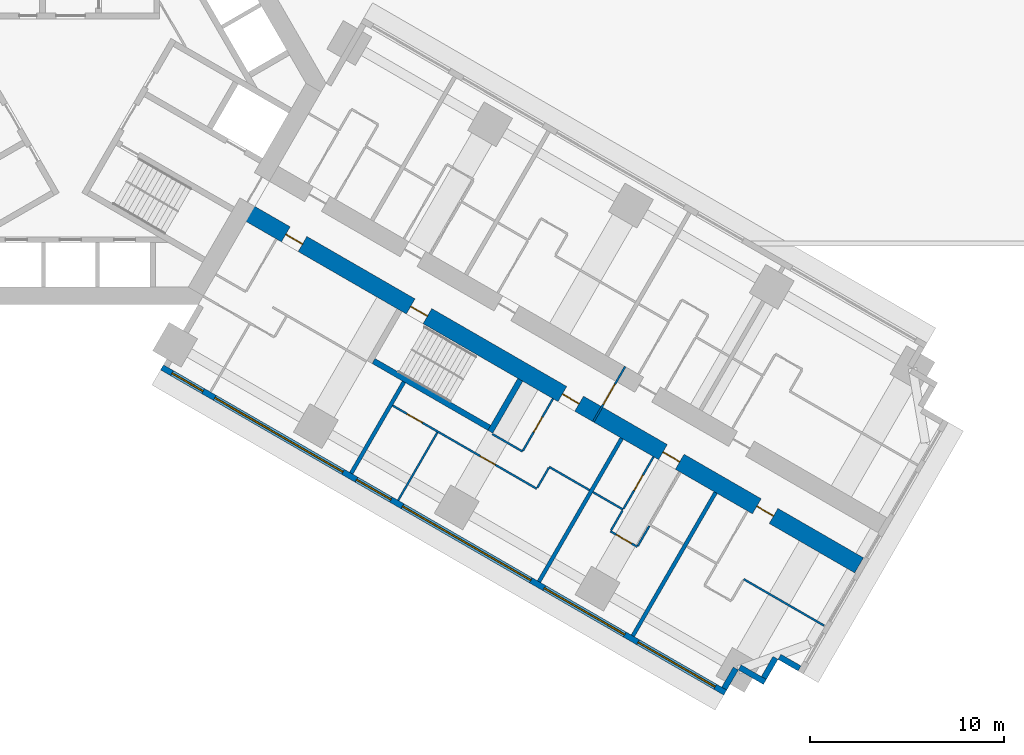
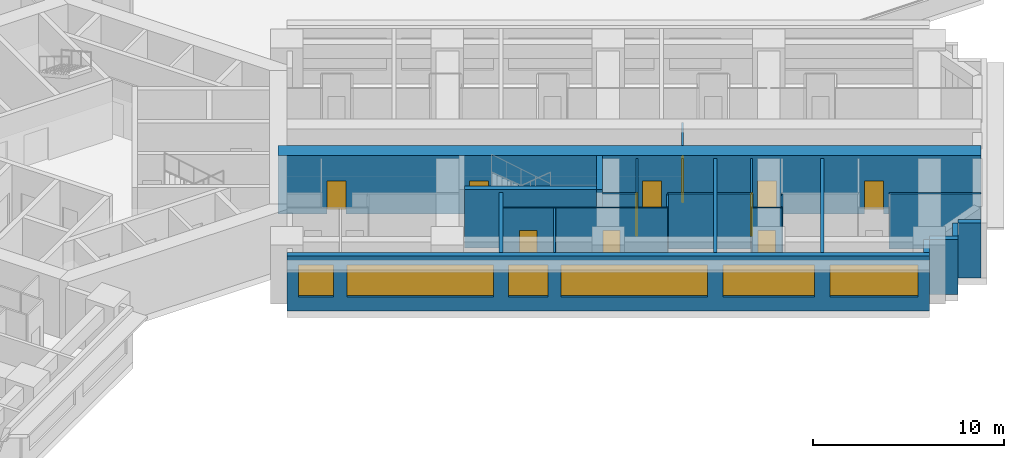
# One storey, part 11 of 18: 24 walls, 11 doors, 6 windows, 17 openings.
"""IFC4 building model written with IfcOpenShell, lengths in metres."""

from ifc_helpers import new_model, si_unit, direction, frame, frame_2d, origin, place, context, subcontext, project, spatial, rectangle, extrude, material, layer, layer_set, type_object, element, fill, save


model = new_model("IFC4")

# Units and contexts
model_context = context("Model", 3, precision=1e-05, world=origin(), true_north=direction((0.0, 1.0)))
body_context = subcontext(model_context, "Body", "Model", "MODEL_VIEW")
ifc_project = project(units=[si_unit("LENGTHUNIT", "METRE"), si_unit("AREAUNIT", "SQUARE_METRE"), si_unit("VOLUMEUNIT", "CUBIC_METRE"), si_unit("PLANEANGLEUNIT", "RADIAN"), si_unit("MASSUNIT", "GRAM", prefix="KILO")], contexts=[model_context])

# Site, building, storey
site_placement = place(None, origin())
site = spatial("IfcSite", under=ifc_project, at=site_placement, CompositionType="ELEMENT")
building_placement = place(site_placement, origin())
building = spatial("IfcBuilding", under=site, at=building_placement, Name="Impinga Residences", CompositionType="ELEMENT")
storey_placement = place(building_placement, frame((0.0, 0.0, 26.0)))
storey = spatial("IfcBuildingStorey", under=building, at=storey_placement, Name="L05", CompositionType="ELEMENT", Elevation=26.0)

# Wall, openings, doors
ifc_material_1 = material(Name="Concrete C70/85", Category="concrete")
ifc_layer_1 = layer(ifc_material_1, 0.89990234375)
ifc_layer_set_1 = layer_set([ifc_layer_1], Name="Concrete C70/85")
wall_type_1 = type_object("IfcWallType", Name="BW1 corridor buttress wall, L05 to L22 900", PredefinedType="SHEAR", material=ifc_layer_set_1)
wall_1_placement = place(storey_placement, frame((8.910400390625, -6.530029296875, 0.0), z_axis=(0.0, 0.0, 1.0), x_axis=(0.866025284237, -0.500000207062, 0.0)))
wall_1 = element("IfcWall", 1, at=wall_1_placement, inside=storey, type_object=wall_type_1, Name="Corridor wall BW1 ED L05", PredefinedType="SHEAR", context=body_context, shape_type="SweptSolid", body=[
    extrude(rectangle(XDim=36.75, YDim=0.89990234375, at=frame_2d((18.375, 0.0))), origin(), (0.0, 0.0, 1.0), 3.75),
])
opening_1_placement = place(wall_1_placement, frame((10.0, 0.0, 0.0)))
opening_1 = element("IfcOpeningElement", 2, at=opening_1_placement, cuts=wall_1, Name="Opening D5", PredefinedType="OPENING", context=body_context, shape_type="SweptSolid", body=[
    extrude(rectangle(XDim=1.0, YDim=2.10009765625, at=frame_2d((0.5, 1.050048828125))), frame((0.0, 0.4599609375, 0.0), z_axis=(0.0, -1.0, 0.0), x_axis=(1.0, 0.0, 0.0)), (0.0, 0.0, 1.0), 0.919921875),
])
opening_2_placement = place(wall_1_placement, frame((2.550048828125, 0.0, 0.0)))
opening_2 = element("IfcOpeningElement", 3, at=opening_2_placement, cuts=wall_1, Name="Opening D1", PredefinedType="OPENING", context=body_context, shape_type="SweptSolid", body=[
    extrude(rectangle(XDim=1.0, YDim=2.10009765625, at=frame_2d((0.5, 1.050048828125))), frame((0.0, 0.4599609375, 0.0), z_axis=(0.0, -1.0, 0.0), x_axis=(1.0, 0.0, 0.0)), (0.0, 0.0, 1.0), 0.919921875),
])
opening_3_placement = place(wall_1_placement, frame((19.050048828125, 0.0, 0.0)))
opening_3 = element("IfcOpeningElement", 4, at=opening_3_placement, cuts=wall_1, Name="Opening D1", PredefinedType="OPENING", context=body_context, shape_type="SweptSolid", body=[
    extrude(rectangle(XDim=1.0, YDim=2.10009765625, at=frame_2d((0.5, 1.050048828125))), frame((0.0, 0.4599609375, 0.0), z_axis=(0.0, -1.0, 0.0), x_axis=(1.0, 0.0, 0.0)), (0.0, 0.0, 1.0), 0.919921875),
])
opening_4_placement = place(wall_1_placement, frame((25.050048828125, 0.0, 0.0)))
opening_4 = element("IfcOpeningElement", 5, at=opening_4_placement, cuts=wall_1, Name="Opening D1", PredefinedType="OPENING", context=body_context, shape_type="SweptSolid", body=[
    extrude(rectangle(XDim=1.0, YDim=2.10009765625, at=frame_2d((0.5, 1.050048828125))), frame((0.0, 0.4599609375, 0.0), z_axis=(0.0, -1.0, 0.0), x_axis=(1.0, 0.0, 0.0)), (0.0, 0.0, 1.0), 0.919921875),
])
opening_5_placement = place(wall_1_placement, frame((30.64990234375, 0.0, 0.0)))
opening_5 = element("IfcOpeningElement", 6, at=opening_5_placement, cuts=wall_1, Name="Opening D1", PredefinedType="OPENING", context=body_context, shape_type="SweptSolid", body=[
    extrude(rectangle(XDim=1.0, YDim=2.10009765625, at=frame_2d((0.5, 1.050048828125))), frame((0.0, 0.4599609375, 0.0), z_axis=(0.0, -1.0, 0.0), x_axis=(1.0, 0.0, 0.0)), (0.0, 0.0, 1.0), 0.919921875),
])
ifc_material_2 = material(Name="Timber door set", Category="wood")
door_type_1 = type_object("IfcDoorType", Name="D1 apartment entrance door 1000x2100", OperationType="SINGLE_SWING_LEFT", PredefinedType="DOOR", material=ifc_material_2)
door_1_placement = place(opening_2_placement, origin())
door_1 = element("IfcDoor", 7, at=door_1_placement, inside=storey, type_object=door_type_1, Name="Apartment L05-EF1 entrance", OperationType="SINGLE_SWING_LEFT", OverallHeight=2.10009765625, OverallWidth=1.0, PredefinedType="DOOR", context=body_context, shape_type="SweptSolid", body=[
    extrude(rectangle(XDim=1.0, YDim=2.10009765625, at=frame_2d((0.5, 1.050048828125))), frame((0.0, 0.02490234375, 0.0), z_axis=(0.0, -1.0, 0.0), x_axis=(1.0, 0.0, 0.0)), (0.0, 0.0, 1.0), 0.050048828125),
])
fill(opening_2, door_1)
door_2_placement = place(opening_3_placement, origin())
door_2 = element("IfcDoor", 8, at=door_2_placement, inside=storey, type_object=door_type_1, Name="Apartment L05-EF2 entrance", OperationType="SINGLE_SWING_RIGHT", OverallHeight=2.10009765625, OverallWidth=1.0, PredefinedType="DOOR", context=body_context, shape_type="SweptSolid", body=[
    extrude(rectangle(XDim=1.0, YDim=2.10009765625, at=frame_2d((0.5, 1.050048828125))), frame((0.0, 0.02490234375, 0.0), z_axis=(0.0, -1.0, 0.0), x_axis=(1.0, 0.0, 0.0)), (0.0, 0.0, 1.0), 0.050048828125),
])
fill(opening_3, door_2)
door_3_placement = place(opening_4_placement, origin())
door_3 = element("IfcDoor", 9, at=door_3_placement, inside=storey, type_object=door_type_1, Name="Apartment L05-EF3 entrance", OperationType="SINGLE_SWING_RIGHT", OverallHeight=2.10009765625, OverallWidth=1.0, PredefinedType="DOOR", context=body_context, shape_type="SweptSolid", body=[
    extrude(rectangle(XDim=1.0, YDim=2.10009765625, at=frame_2d((0.5, 1.050048828125))), frame((0.0, 0.02490234375, 0.0), z_axis=(0.0, -1.0, 0.0), x_axis=(1.0, 0.0, 0.0)), (0.0, 0.0, 1.0), 0.050048828125),
])
fill(opening_4, door_3)
door_4_placement = place(opening_5_placement, origin())
door_4 = element("IfcDoor", 10, at=door_4_placement, inside=storey, type_object=door_type_1, Name="Apartment L05-EF4 entrance", OperationType="SINGLE_SWING_RIGHT", OverallHeight=2.10009765625, OverallWidth=1.0, PredefinedType="DOOR", context=body_context, shape_type="SweptSolid", body=[
    extrude(rectangle(XDim=1.0, YDim=2.10009765625, at=frame_2d((0.5, 1.050048828125))), frame((0.0, 0.02490234375, 0.0), z_axis=(0.0, -1.0, 0.0), x_axis=(1.0, 0.0, 0.0)), (0.0, 0.0, 1.0), 0.050048828125),
])
fill(opening_5, door_4)
door_type_2 = type_object("IfcDoorType", Name="D5 stair door 1000x2100", OperationType="SINGLE_SWING_LEFT", PredefinedType="DOOR", material=ifc_material_2)
door_5_placement = place(opening_1_placement, origin())
door_5 = element("IfcDoor", 11, at=door_5_placement, inside=storey, type_object=door_type_2, Name="Wing stair door E", OperationType="SINGLE_SWING_LEFT", OverallHeight=2.10009765625, OverallWidth=1.0, PredefinedType="DOOR", context=body_context, shape_type="SweptSolid", body=[
    extrude(rectangle(XDim=1.0, YDim=2.10009765625, at=frame_2d((0.5, 1.050048828125))), frame((0.0, 0.02490234375, 0.0), z_axis=(0.0, -1.0, 0.0), x_axis=(1.0, 0.0, 0.0)), (0.0, 0.0, 1.0), 0.050048828125),
])
fill(opening_1, door_5)

# Wall, opening, door
ifc_material_3 = material(Name="Concrete blockwork", Category="masonry")
ifc_layer_2 = layer(ifc_material_3, 0.10009765625)
ifc_layer_set_2 = layer_set([ifc_layer_2], Name="CP1 core room partition, blockwork 100")
wall_type_2 = type_object("IfcWallType", Name="CP1 core room partition, blockwork 100", PredefinedType="PARTITIONING", material=ifc_layer_set_2)
wall_2_placement = place(storey_placement, frame((28.652099609375, -14.636962890625, 0.0), z_axis=(0.0, 0.0, 1.0), x_axis=(-0.499974350878, -0.866040211805, 0.0)))
wall_2 = element("IfcWall", 12, at=wall_2_placement, inside=storey, type_object=wall_type_2, Name="Core room partition, blockwork L05:E:SCR", PredefinedType="PARTITIONING", context=body_context, shape_type="SweptSolid", body=[
    extrude(rectangle(XDim=3.300048828125, YDim=0.10009765625, at=frame_2d((1.64990234375, 0.0))), origin(), (0.0, 0.0, 1.0), 3.530029296875),
])
opening_6_placement = place(wall_2_placement, frame((1.050048828125, 0.0, 0.0)))
opening_6 = element("IfcOpeningElement", 13, at=opening_6_placement, cuts=wall_2, Name="Opening D3", PredefinedType="OPENING", context=body_context, shape_type="SweptSolid", body=[
    extrude(rectangle(XDim=1.199951171875, YDim=2.10009765625, at=frame_2d((0.60009765625, 1.050048828125))), frame((0.0, 0.06005859375, 0.0), z_axis=(0.0, -1.0, 0.0), x_axis=(1.0, 0.0, 0.0)), (0.0, 0.0, 1.0), 0.1201171875),
])
door_type_3 = type_object("IfcDoorType", Name="D3 room door, leaf and a half 1200x2100", OperationType="DOUBLE_SWING_LEFT", PredefinedType="DOOR", material=ifc_material_2)
door_6_placement = place(opening_6_placement, origin())
door_6 = element("IfcDoor", 14, at=door_6_placement, inside=storey, type_object=door_type_3, Name="Corridor smoke door E", OperationType="DOUBLE_SWING_LEFT", OverallHeight=2.10009765625, OverallWidth=1.199951171875, PredefinedType="DOOR", context=body_context, shape_type="SweptSolid", body=[
    extrude(rectangle(XDim=1.199951171875, YDim=2.10009765625, at=frame_2d((0.60009765625, 1.050048828125))), frame((0.0, 0.02490234375, 0.0), z_axis=(0.0, -1.0, 0.0), x_axis=(1.0, 0.0, 0.0)), (0.0, 0.0, 1.0), 0.050048828125),
])
fill(opening_6, door_6)

# Walls
ifc_material_4 = material(Name="Terracotta rainscreen on blockwork", Category="masonry")
ifc_layer_3 = layer(ifc_material_4, 0.300048828125)
ifc_layer_set_3 = layer_set([ifc_layer_3], Name="EW1 external wall, terracotta rainscreen on blockwork 300")
wall_type_3 = type_object("IfcWallType", Name="EW1 external wall, terracotta rainscreen on blockwork 300", PredefinedType="SOLIDWALL", material=ifc_layer_set_3)
wall_3_placement = place(storey_placement, frame((37.66162109375, -30.23095703125, 0.0), z_axis=(0.0, 0.0, 1.0), x_axis=(-0.866059708757, 0.499940577336, 0.0)))
element("IfcWall", 15, at=wall_3_placement, inside=storey, type_object=wall_type_3, Name="External wall EW1 L05", PredefinedType="SOLIDWALL", context=body_context, shape_type="SweptSolid", body=[
    extrude(rectangle(XDim=1.195068359375, YDim=0.300048828125, at=frame_2d((0.59765625, 0.0))), origin(), (0.0, 0.0, 1.0), 3.530029296875),
])
wall_4_placement = place(storey_placement, frame((36.41748046875, -29.68603515625, 0.0), z_axis=(0.0, 0.0, 1.0), x_axis=(-0.499969057507, -0.866043267704, 0.0)))
element("IfcWall", 16, at=wall_4_placement, inside=storey, type_object=wall_type_3, Name="External wall EW1 L05", PredefinedType="SOLIDWALL", context=body_context, shape_type="SweptSolid", body=[
    extrude(rectangle(XDim=1.19970703125, YDim=0.300048828125, at=frame_2d((0.599853515625, 0.0))), origin(), (0.0, 0.0, 1.0), 3.530029296875),
])
wall_5_placement = place(storey_placement, frame((35.87255859375, -30.93017578125, 0.0), z_axis=(0.0, 0.0, 1.0), x_axis=(-0.866031096941, 0.499990139034, 0.0)))
element("IfcWall", 17, at=wall_5_placement, inside=storey, type_object=wall_type_3, Name="External wall EW1 L05", PredefinedType="SOLIDWALL", context=body_context, shape_type="SweptSolid", body=[
    extrude(rectangle(XDim=1.5, YDim=0.300048828125, at=frame_2d((0.75, 0.0))), origin(), (0.0, 0.0, 1.0), 3.530029296875),
])
wall_6_placement = place(storey_placement, frame((34.365966796875, -30.2392578125, 0.0), z_axis=(0.0, 0.0, 1.0), x_axis=(-0.499940577336, -0.866059708757, 0.0)))
element("IfcWall", 18, at=wall_6_placement, inside=storey, type_object=wall_type_3, Name="External wall EW1 L05", PredefinedType="SOLIDWALL", context=body_context, shape_type="SweptSolid", body=[
    extrude(rectangle(XDim=1.195068359375, YDim=0.300048828125, at=frame_2d((0.59765625, 0.0))), origin(), (0.0, 0.0, 1.0), 3.530029296875),
])

# Wall, openings, windows
wall_7_placement = place(storey_placement, frame((33.823486328125, -31.479248046875, 0.0), z_axis=(0.0, 0.0, 1.0), x_axis=(-0.866024291668, 0.500001926238, 0.0)))
wall_7 = element("IfcWall", 19, at=wall_7_placement, inside=storey, type_object=wall_type_3, Name="External wall EW1 L05", PredefinedType="SOLIDWALL", context=body_context, shape_type="SweptSolid", body=[
    extrude(rectangle(XDim=33.599853515625, YDim=0.300048828125, at=frame_2d((16.7998046875, 0.0))), origin(), (0.0, 0.0, 1.0), 3.530029296875),
])
opening_7_placement = place(wall_7_placement, frame((0.60009765625, 0.0, 0.89990234375)))
opening_7 = element("IfcOpeningElement", 20, at=opening_7_placement, cuts=wall_7, Name="Opening W3", PredefinedType="OPENING", context=body_context, shape_type="SweptSolid", body=[
    extrude(rectangle(XDim=4.60009765625, YDim=2.050048828125, at=frame_2d((2.300048828125, 1.02490234375))), frame((0.0, 0.159912109375, 0.0), z_axis=(0.0, -1.0, 0.0), x_axis=(1.0, 0.0, 0.0)), (0.0, 0.0, 1.0), 0.320068359375),
])
opening_8_placement = place(wall_7_placement, frame((6.0, 0.0, 0.89990234375)))
opening_8 = element("IfcOpeningElement", 21, at=opening_8_placement, cuts=wall_7, Name="Opening W8", PredefinedType="OPENING", context=body_context, shape_type="SweptSolid", body=[
    extrude(rectangle(XDim=4.800048828125, YDim=2.050048828125, at=frame_2d((2.39990234375, 1.02490234375))), frame((0.0, 0.159912109375, 0.0), z_axis=(0.0, -1.0, 0.0), x_axis=(1.0, 0.0, 0.0)), (0.0, 0.0, 1.0), 0.320068359375),
])
opening_9_placement = place(wall_7_placement, frame((11.60009765625, 0.0, 0.89990234375)))
opening_9 = element("IfcOpeningElement", 22, at=opening_9_placement, cuts=wall_7, Name="Opening W13", PredefinedType="OPENING", context=body_context, shape_type="SweptSolid", body=[
    extrude(rectangle(XDim=7.64990234375, YDim=2.050048828125, at=frame_2d((3.824951171875, 1.02490234375))), frame((0.0, 0.159912109375, 0.0), z_axis=(0.0, -1.0, 0.0), x_axis=(1.0, 0.0, 0.0)), (0.0, 0.0, 1.0), 0.320068359375),
])
opening_10_placement = place(wall_7_placement, frame((19.949951171875, 0.0, 0.89990234375)))
opening_10 = element("IfcOpeningElement", 23, at=opening_10_placement, cuts=wall_7, Name="Opening W14", PredefinedType="OPENING", context=body_context, shape_type="SweptSolid", body=[
    extrude(rectangle(XDim=2.050048828125, YDim=2.050048828125, at=frame_2d((1.02490234375, 1.02490234375))), frame((0.0, 0.159912109375, 0.0), z_axis=(0.0, -1.0, 0.0), x_axis=(1.0, 0.0, 0.0)), (0.0, 0.0, 1.0), 0.320068359375),
])
opening_11_placement = place(wall_7_placement, frame((22.800048828125, 0.0, 0.89990234375)))
opening_11 = element("IfcOpeningElement", 24, at=opening_11_placement, cuts=wall_7, Name="Opening W13", PredefinedType="OPENING", context=body_context, shape_type="SweptSolid", body=[
    extrude(rectangle(XDim=7.64990234375, YDim=2.050048828125, at=frame_2d((3.824951171875, 1.02490234375))), frame((0.0, 0.159912109375, 0.0), z_axis=(0.0, -1.0, 0.0), x_axis=(1.0, 0.0, 0.0)), (0.0, 0.0, 1.0), 0.320068359375),
])
opening_12_placement = place(wall_7_placement, frame((31.14990234375, 0.0, 0.89990234375)))
opening_12 = element("IfcOpeningElement", 25, at=opening_12_placement, cuts=wall_7, Name="Opening W15", PredefinedType="OPENING", context=body_context, shape_type="SweptSolid", body=[
    extrude(rectangle(XDim=1.85009765625, YDim=2.050048828125, at=frame_2d((0.925048828125, 1.02490234375))), frame((0.0, 0.159912109375, 0.0), z_axis=(0.0, -1.0, 0.0), x_axis=(1.0, 0.0, 0.0)), (0.0, 0.0, 1.0), 0.320068359375),
])
ifc_material_5 = material(Name="Aluminium window, clear double glazing", Category="aluminium")
window_type_1 = type_object("IfcWindowType", Name="W13 ribbon window 7650x2050", PartitioningType="SINGLE_PANEL", PredefinedType="WINDOW", material=ifc_material_5)
window_1_placement = place(opening_9_placement, origin())
window_1 = element("IfcWindow", 26, at=window_1_placement, inside=storey, type_object=window_type_1, Name="Window L05", OverallHeight=2.050048828125, OverallWidth=7.64990234375, PartitioningType="SINGLE_PANEL", PredefinedType="WINDOW", context=body_context, shape_type="SweptSolid", body=[
    extrude(rectangle(XDim=7.64990234375, YDim=2.050048828125, at=frame_2d((3.824951171875, 1.02490234375))), frame((0.0, 0.030029296875, 0.0), z_axis=(0.0, -1.0, 0.0), x_axis=(1.0, 0.0, 0.0)), (0.0, 0.0, 1.0), 0.06005859375),
])
fill(opening_9, window_1)
window_2_placement = place(opening_11_placement, origin())
window_2 = element("IfcWindow", 27, at=window_2_placement, inside=storey, type_object=window_type_1, Name="Window L05", OverallHeight=2.050048828125, OverallWidth=7.64990234375, PartitioningType="SINGLE_PANEL", PredefinedType="WINDOW", context=body_context, shape_type="SweptSolid", body=[
    extrude(rectangle(XDim=7.64990234375, YDim=2.050048828125, at=frame_2d((3.824951171875, 1.02490234375))), frame((0.0, 0.030029296875, 0.0), z_axis=(0.0, -1.0, 0.0), x_axis=(1.0, 0.0, 0.0)), (0.0, 0.0, 1.0), 0.06005859375),
])
fill(opening_11, window_2)
window_type_2 = type_object("IfcWindowType", Name="W14 ribbon window 2050x2050", PartitioningType="SINGLE_PANEL", PredefinedType="WINDOW", material=ifc_material_5)
window_3_placement = place(opening_10_placement, origin())
window_3 = element("IfcWindow", 28, at=window_3_placement, inside=storey, type_object=window_type_2, Name="Window L05", OverallHeight=2.050048828125, OverallWidth=2.050048828125, PartitioningType="SINGLE_PANEL", PredefinedType="WINDOW", context=body_context, shape_type="SweptSolid", body=[
    extrude(rectangle(XDim=2.050048828125, YDim=2.050048828125, at=frame_2d((1.02490234375, 1.02490234375))), frame((0.0, 0.030029296875, 0.0), z_axis=(0.0, -1.0, 0.0), x_axis=(1.0, 0.0, 0.0)), (0.0, 0.0, 1.0), 0.06005859375),
])
fill(opening_10, window_3)
window_type_3 = type_object("IfcWindowType", Name="W15 ribbon window 1850x2050", PartitioningType="SINGLE_PANEL", PredefinedType="WINDOW", material=ifc_material_5)
window_4_placement = place(opening_12_placement, origin())
window_4 = element("IfcWindow", 29, at=window_4_placement, inside=storey, type_object=window_type_3, Name="Window L05", OverallHeight=2.050048828125, OverallWidth=1.85009765625, PartitioningType="SINGLE_PANEL", PredefinedType="WINDOW", context=body_context, shape_type="SweptSolid", body=[
    extrude(rectangle(XDim=1.85009765625, YDim=2.050048828125, at=frame_2d((0.925048828125, 1.02490234375))), frame((0.0, 0.030029296875, 0.0), z_axis=(0.0, -1.0, 0.0), x_axis=(1.0, 0.0, 0.0)), (0.0, 0.0, 1.0), 0.06005859375),
])
fill(opening_12, window_4)
window_type_4 = type_object("IfcWindowType", Name="W3 ribbon window 4600x2050", PartitioningType="SINGLE_PANEL", PredefinedType="WINDOW", material=ifc_material_5)
window_5_placement = place(opening_7_placement, origin())
window_5 = element("IfcWindow", 30, at=window_5_placement, inside=storey, type_object=window_type_4, Name="Window L05", OverallHeight=2.050048828125, OverallWidth=4.60009765625, PartitioningType="SINGLE_PANEL", PredefinedType="WINDOW", context=body_context, shape_type="SweptSolid", body=[
    extrude(rectangle(XDim=4.60009765625, YDim=2.050048828125, at=frame_2d((2.300048828125, 1.02490234375))), frame((0.0, 0.030029296875, 0.0), z_axis=(0.0, -1.0, 0.0), x_axis=(1.0, 0.0, 0.0)), (0.0, 0.0, 1.0), 0.06005859375),
])
fill(opening_7, window_5)
window_type_5 = type_object("IfcWindowType", Name="W8 ribbon window 4800x2050", PartitioningType="SINGLE_PANEL", PredefinedType="WINDOW", material=ifc_material_5)
window_6_placement = place(opening_8_placement, origin())
window_6 = element("IfcWindow", 31, at=window_6_placement, inside=storey, type_object=window_type_5, Name="Window L05", OverallHeight=2.050048828125, OverallWidth=4.800048828125, PartitioningType="SINGLE_PANEL", PredefinedType="WINDOW", context=body_context, shape_type="SweptSolid", body=[
    extrude(rectangle(XDim=4.800048828125, YDim=2.050048828125, at=frame_2d((2.39990234375, 1.02490234375))), frame((0.0, 0.030029296875, 0.0), z_axis=(0.0, -1.0, 0.0), x_axis=(1.0, 0.0, 0.0)), (0.0, 0.0, 1.0), 0.06005859375),
])
fill(opening_8, window_6)

# Walls
ifc_material_6 = material(Name="Gypsum board on steel studs", Category="steel")
ifc_layer_4 = layer(ifc_material_6, 0.10009765625)
ifc_layer_set_4 = layer_set([ifc_layer_4], Name="Gypsum board on steel studs")
wall_type_4 = type_object("IfcWallType", Name="IP1 partition 100", PredefinedType="PARTITIONING", material=ifc_layer_set_4)
wall_8_placement = place(storey_placement, frame((21.789306640625, -18.122802734375, 0.0), z_axis=(0.0, 0.0, 1.0), x_axis=(0.866047807691, -0.499961193289, 0.0)))
element("IfcWall", 32, at=wall_8_placement, inside=storey, type_object=wall_type_4, Name="Partition L05-EF2:DIV0", PredefinedType="PARTITIONING", context=body_context, shape_type="SweptSolid", body=[
    extrude(rectangle(XDim=1.800048828125, YDim=0.10009765625, at=frame_2d((0.89990234375, 0.0))), origin(), (0.0, 0.0, 1.0), 3.530029296875),
])
wall_9_placement = place(storey_placement, frame((24.73388671875, -19.82275390625, 0.0), z_axis=(0.0, 0.0, 1.0), x_axis=(0.866024647952, -0.500001309137, 0.0)))
element("IfcWall", 33, at=wall_9_placement, inside=storey, type_object=wall_type_4, Name="Partition L05-EF2:DIV1", PredefinedType="PARTITIONING", context=body_context, shape_type="SweptSolid", body=[
    extrude(rectangle(XDim=2.39990234375, YDim=0.10009765625, at=frame_2d((1.199951171875, 0.0))), origin(), (0.0, 0.0, 1.0), 3.530029296875),
])

# Wall, openings, doors
wall_10_placement = place(storey_placement, frame((16.635986328125, -16.6484375, 0.0), z_axis=(0.0, 0.0, 1.0), x_axis=(0.866028165386, -0.499995216735, 0.0)))
wall_10 = element("IfcWall", 34, at=wall_10_placement, inside=storey, type_object=wall_type_4, Name="Partition L05-EF2:STRIP", PredefinedType="PARTITIONING", context=body_context, shape_type="SweptSolid", body=[
    extrude(rectangle(XDim=8.60009765625, YDim=0.10009765625, at=frame_2d((4.300048828125, 0.0))), origin(), (0.0, 0.0, 1.0), 3.530029296875),
])
opening_13_placement = place(wall_10_placement, frame((0.875, 0.0, 0.0)))
opening_13 = element("IfcOpeningElement", 35, at=opening_13_placement, cuts=wall_10, Name="Opening D2", PredefinedType="OPENING", context=body_context, shape_type="SweptSolid", body=[
    extrude(rectangle(XDim=0.89990234375, YDim=2.10009765625, at=frame_2d((0.449951171875, 1.050048828125))), frame((0.0, 0.06005859375, 0.0), z_axis=(0.0, -1.0, 0.0), x_axis=(1.0, 0.0, 0.0)), (0.0, 0.0, 1.0), 0.1201171875),
])
opening_14_placement = place(wall_10_placement, frame((5.22509765625, 0.0, 0.0)))
opening_14 = element("IfcOpeningElement", 36, at=opening_14_placement, cuts=wall_10, Name="Opening D2", PredefinedType="OPENING", context=body_context, shape_type="SweptSolid", body=[
    extrude(rectangle(XDim=0.89990234375, YDim=2.10009765625, at=frame_2d((0.449951171875, 1.050048828125))), frame((0.0, 0.06005859375, 0.0), z_axis=(0.0, -1.0, 0.0), x_axis=(1.0, 0.0, 0.0)), (0.0, 0.0, 1.0), 0.1201171875),
])
door_type_4 = type_object("IfcDoorType", Name="D2 internal door 900x2100", OperationType="SINGLE_SWING_LEFT", PredefinedType="DOOR", material=ifc_material_2)
door_7_placement = place(opening_13_placement, origin())
door_7 = element("IfcDoor", 37, at=door_7_placement, inside=storey, type_object=door_type_4, Name="Apartment L05-EF2 room door", OperationType="SINGLE_SWING_LEFT", OverallHeight=2.10009765625, OverallWidth=0.89990234375, PredefinedType="DOOR", context=body_context, shape_type="SweptSolid", body=[
    extrude(rectangle(XDim=0.89990234375, YDim=2.10009765625, at=frame_2d((0.449951171875, 1.050048828125))), frame((0.0, 0.02490234375, 0.0), z_axis=(0.0, -1.0, 0.0), x_axis=(1.0, 0.0, 0.0)), (0.0, 0.0, 1.0), 0.050048828125),
])
fill(opening_13, door_7)
door_8_placement = place(opening_14_placement, origin())
door_8 = element("IfcDoor", 38, at=door_8_placement, inside=storey, type_object=door_type_4, Name="Apartment L05-EF2 room door", OperationType="SINGLE_SWING_RIGHT", OverallHeight=2.10009765625, OverallWidth=0.89990234375, PredefinedType="DOOR", context=body_context, shape_type="SweptSolid", body=[
    extrude(rectangle(XDim=0.89990234375, YDim=2.10009765625, at=frame_2d((0.449951171875, 1.050048828125))), frame((0.0, 0.02490234375, 0.0), z_axis=(0.0, -1.0, 0.0), x_axis=(1.0, 0.0, 0.0)), (0.0, 0.0, 1.0), 0.050048828125),
])
fill(opening_14, door_8)

# Wall
wall_11_placement = place(storey_placement, frame((24.708984375, -19.865966796875, 0.0), z_axis=(0.0, 0.0, 1.0), x_axis=(-0.500033551112, -0.866006032174, 0.0)))
element("IfcWall", 39, at=wall_11_placement, inside=storey, type_object=wall_type_4, Name="Partition L05-EF2:SE1", PredefinedType="PARTITIONING", context=body_context, shape_type="SweptSolid", body=[
    extrude(rectangle(XDim=1.2001953125, YDim=0.10009765625, at=frame_2d((0.60009765625, 0.0))), origin(), (0.0, 0.0, 1.0), 3.530029296875),
])

# Wall, opening, door
wall_12_placement = place(storey_placement, frame((24.92333984375, -16.294677734375, 0.0), z_axis=(0.0, 0.0, 1.0), x_axis=(-0.49999285859, -0.86602952684, 0.0)))
wall_12 = element("IfcWall", 40, at=wall_12_placement, inside=storey, type_object=wall_type_4, Name="Partition L05-EF2:IB1", PredefinedType="PARTITIONING", context=body_context, shape_type="SweptSolid", body=[
    extrude(rectangle(XDim=3.10009765625, YDim=0.10009765625, at=frame_2d((1.550048828125, 0.0))), origin(), (0.0, 0.0, 1.0), 3.530029296875),
])
opening_15_placement = place(wall_12_placement, frame((1.10009765625, 0.0, 0.0)))
opening_15 = element("IfcOpeningElement", 41, at=opening_15_placement, cuts=wall_12, Name="Opening D2", PredefinedType="OPENING", context=body_context, shape_type="SweptSolid", body=[
    extrude(rectangle(XDim=0.89990234375, YDim=2.10009765625, at=frame_2d((0.449951171875, 1.050048828125))), frame((0.0, 0.06005859375, 0.0), z_axis=(0.0, -1.0, 0.0), x_axis=(1.0, 0.0, 0.0)), (0.0, 0.0, 1.0), 0.1201171875),
])
door_9_placement = place(opening_15_placement, origin())
door_9 = element("IfcDoor", 42, at=door_9_placement, inside=storey, type_object=door_type_4, Name="Apartment L05-EF2 bathroom door", OperationType="SINGLE_SWING_LEFT", OverallHeight=2.10009765625, OverallWidth=0.89990234375, PredefinedType="DOOR", context=body_context, shape_type="SweptSolid", body=[
    extrude(rectangle(XDim=0.89990234375, YDim=2.10009765625, at=frame_2d((0.449951171875, 1.050048828125))), frame((0.0, 0.02490234375, 0.0), z_axis=(0.0, -1.0, 0.0), x_axis=(1.0, 0.0, 0.0)), (0.0, 0.0, 1.0), 0.050048828125),
])
fill(opening_15, door_9)

# Walls
wall_13_placement = place(storey_placement, frame((18.949462890625, -18.041748046875, 0.0), z_axis=(0.0, 0.0, 1.0), x_axis=(-0.50000943426, -0.866019956843, 0.0)))
element("IfcWall", 43, at=wall_13_placement, inside=storey, type_object=wall_type_4, Name="Partition L05-EF2:OB1", PredefinedType="PARTITIONING", context=body_context, shape_type="SweptSolid", body=[
    extrude(rectangle(XDim=4.05029296875, YDim=0.10009765625, at=frame_2d((2.025146484375, 0.0))), origin(), (0.0, 0.0, 1.0), 3.530029296875),
])
wall_14_placement = place(storey_placement, frame((26.985595703125, -21.122802734375, 0.0), z_axis=(0.0, 0.0, 1.0), x_axis=(0.866047807691, -0.499961193289, 0.0)))
element("IfcWall", 44, at=wall_14_placement, inside=storey, type_object=wall_type_4, Name="Partition L05-EF3:DIV0", PredefinedType="PARTITIONING", context=body_context, shape_type="SweptSolid", body=[
    extrude(rectangle(XDim=1.800048828125, YDim=0.10009765625, at=frame_2d((0.89990234375, 0.0))), origin(), (0.0, 0.0, 1.0), 3.530029296875),
])

# Wall, opening, door
wall_15_placement = place(storey_placement, frame((27.89453125, -23.1484375, 0.0), z_axis=(0.0, 0.0, 1.0), x_axis=(0.865989903783, -0.500061482766, 0.0)))
wall_15 = element("IfcWall", 45, at=wall_15_placement, inside=storey, type_object=wall_type_4, Name="Partition L05-EF3:STRIP", PredefinedType="PARTITIONING", context=body_context, shape_type="SweptSolid", body=[
    extrude(rectangle(XDim=1.599853515625, YDim=0.10009765625, at=frame_2d((0.7998046875, 0.0))), origin(), (0.0, 0.0, 1.0), 3.530029296875),
])
opening_16_placement = place(wall_15_placement, frame((0.35009765625, 0.0, 0.0)))
opening_16 = element("IfcOpeningElement", 46, at=opening_16_placement, cuts=wall_15, Name="Opening D2", PredefinedType="OPENING", context=body_context, shape_type="SweptSolid", body=[
    extrude(rectangle(XDim=0.89990234375, YDim=2.10009765625, at=frame_2d((0.449951171875, 1.050048828125))), frame((0.0, 0.06005859375, 0.0), z_axis=(0.0, -1.0, 0.0), x_axis=(1.0, 0.0, 0.0)), (0.0, 0.0, 1.0), 0.1201171875),
])
door_10_placement = place(opening_16_placement, origin())
door_10 = element("IfcDoor", 47, at=door_10_placement, inside=storey, type_object=door_type_4, Name="Apartment L05-EF3 room door", OperationType="SINGLE_SWING_LEFT", OverallHeight=2.10009765625, OverallWidth=0.89990234375, PredefinedType="DOOR", context=body_context, shape_type="SweptSolid", body=[
    extrude(rectangle(XDim=0.89990234375, YDim=2.10009765625, at=frame_2d((0.449951171875, 1.050048828125))), frame((0.0, 0.02490234375, 0.0), z_axis=(0.0, -1.0, 0.0), x_axis=(1.0, 0.0, 0.0)), (0.0, 0.0, 1.0), 0.050048828125),
])
fill(opening_16, door_10)

# Walls
wall_16_placement = place(storey_placement, frame((28.51953125, -22.06591796875, 0.0), z_axis=(0.0, 0.0, 1.0), x_axis=(-0.500033551112, -0.866006032174, 0.0)))
element("IfcWall", 48, at=wall_16_placement, inside=storey, type_object=wall_type_4, Name="Partition L05-EF3:SE0", PredefinedType="PARTITIONING", context=body_context, shape_type="SweptSolid", body=[
    extrude(rectangle(XDim=1.2001953125, YDim=0.10009765625, at=frame_2d((0.60009765625, 0.0))), origin(), (0.0, 0.0, 1.0), 3.530029296875),
])
wall_17_placement = place(storey_placement, frame((29.905029296875, -22.865966796875, 0.0), z_axis=(0.0, 0.0, 1.0), x_axis=(-0.499880961361, -0.866094119867, 0.0)))
element("IfcWall", 49, at=wall_17_placement, inside=storey, type_object=wall_type_4, Name="Partition L05-EF3:SE1", PredefinedType="PARTITIONING", context=body_context, shape_type="SweptSolid", body=[
    extrude(rectangle(XDim=1.199951171875, YDim=0.10009765625, at=frame_2d((0.60009765625, 0.0))), origin(), (0.0, 0.0, 1.0), 3.530029296875),
])

# Wall, opening, door
wall_18_placement = place(storey_placement, frame((30.119384765625, -19.294677734375, 0.0), z_axis=(0.0, 0.0, 1.0), x_axis=(-0.49999285859, -0.86602952684, 0.0)))
wall_18 = element("IfcWall", 50, at=wall_18_placement, inside=storey, type_object=wall_type_4, Name="Partition L05-EF3:IB1", PredefinedType="PARTITIONING", context=body_context, shape_type="SweptSolid", body=[
    extrude(rectangle(XDim=3.10009765625, YDim=0.10009765625, at=frame_2d((1.550048828125, 0.0))), origin(), (0.0, 0.0, 1.0), 3.530029296875),
])
opening_17_placement = place(wall_18_placement, frame((1.10009765625, 0.0, 0.0)))
opening_17 = element("IfcOpeningElement", 51, at=opening_17_placement, cuts=wall_18, Name="Opening D2", PredefinedType="OPENING", context=body_context, shape_type="SweptSolid", body=[
    extrude(rectangle(XDim=0.89990234375, YDim=2.10009765625, at=frame_2d((0.449951171875, 1.050048828125))), frame((0.0, 0.06005859375, 0.0), z_axis=(0.0, -1.0, 0.0), x_axis=(1.0, 0.0, 0.0)), (0.0, 0.0, 1.0), 0.1201171875),
])
door_11_placement = place(opening_17_placement, origin())
door_11 = element("IfcDoor", 52, at=door_11_placement, inside=storey, type_object=door_type_4, Name="Apartment L05-EF3 bathroom door", OperationType="SINGLE_SWING_LEFT", OverallHeight=2.10009765625, OverallWidth=0.89990234375, PredefinedType="DOOR", context=body_context, shape_type="SweptSolid", body=[
    extrude(rectangle(XDim=0.89990234375, YDim=2.10009765625, at=frame_2d((0.449951171875, 1.050048828125))), frame((0.0, 0.02490234375, 0.0), z_axis=(0.0, -1.0, 0.0), x_axis=(1.0, 0.0, 0.0)), (0.0, 0.0, 1.0), 0.050048828125),
])
fill(opening_17, door_11)

# Walls
wall_19_placement = place(storey_placement, frame((34.77978515625, -25.622802734375, 0.0), z_axis=(0.0, 0.0, 1.0), x_axis=(0.866037363387, -0.499979284789, 0.0)))
element("IfcWall", 53, at=wall_19_placement, inside=storey, type_object=wall_type_4, Name="Partition L05-EF4:DIV1", PredefinedType="PARTITIONING", context=body_context, shape_type="SweptSolid", body=[
    extrude(rectangle(XDim=4.800048828125, YDim=0.10009765625, at=frame_2d((2.39990234375, 0.0))), origin(), (0.0, 0.0, 1.0), 3.530029296875),
])
ifc_layer_5 = layer(ifc_material_3, 0.199951171875)
ifc_layer_set_5 = layer_set([ifc_layer_5], Name="PW1 party wall between apartments 200")
wall_type_5 = type_object("IfcWallType", Name="PW1 party wall between apartments 200", PredefinedType="SOLIDWALL", material=ifc_layer_set_5)
wall_20_placement = place(storey_placement, frame((17.224365234375, -15.429443359375, 0.0), z_axis=(0.0, 0.0, 1.0), x_axis=(-0.499988730927, -0.866031909889, 0.0)))
element("IfcWall", 54, at=wall_20_placement, inside=storey, type_object=wall_type_5, Name="Party wall between apartments L05-EF1:PARTY", PredefinedType="SOLIDWALL", context=body_context, shape_type="SweptSolid", body=[
    extrude(rectangle(XDim=5.449951171875, YDim=0.199951171875, at=frame_2d((2.72509765625, 0.0))), origin(), (0.0, 0.0, 1.0), 3.530029296875),
])
for number, where, z_axis, x_axis, name in (
    (55, (28.473876953125, -18.3447265625, 0.0), (0.0, 0.0, 1.0), (-0.499990227581, -0.86603104582, 0.0), "Party wall between apartments L05-EF2:PARTY"),
    (56, (33.32373046875, -21.144775390625, 0.0), (0.0, 0.0, 1.0), (-0.499990227581, -0.86603104582, 0.0), "Party wall between apartments L05-EF3:PARTY"),
):
    element("IfcWall", number, at=place(storey_placement, frame(where, z_axis=z_axis, x_axis=x_axis)), inside=storey, type_object=wall_type_5, Name=name, PredefinedType="SOLIDWALL", context=body_context, shape_type="SweptSolid", body=[
        extrude(rectangle(XDim=8.550048828125, YDim=0.199951171875, at=frame_2d((4.27490234375, 0.0))), origin(), (0.0, 0.0, 1.0), 3.530029296875),
    ])
ifc_material_7 = material(Name="Concrete C60/75", Category="concrete")
ifc_layer_6 = layer(ifc_material_7, 0.300048828125)
ifc_layer_set_6 = layer_set([ifc_layer_6], Name="Concrete C60/75")
wall_type_6 = type_object("IfcWallType", Name="SE1 wing stair enclosure wall 300", PredefinedType="SOLIDWALL", material=ifc_layer_set_6)
wall_21_placement = place(storey_placement, frame((23.234619140625, -15.31982421875, 0.0), z_axis=(0.0, 0.0, 1.0), x_axis=(-0.500026960575, -0.86600983753, 0.0)))
element("IfcWall", 57, at=wall_21_placement, inside=storey, type_object=wall_type_6, Name="Stair enclosure wall SE1 E END1 L05", PredefinedType="SOLIDWALL", context=body_context, shape_type="SweptSolid", body=[
    extrude(rectangle(XDim=3.099853515625, YDim=0.300048828125, at=frame_2d((1.5498046875, 0.0))), origin(), (0.0, 0.0, 1.0), 3.75),
])
wall_22_placement = place(storey_placement, frame((15.654052734375, -14.349365234375, 0.0), z_axis=(0.0, 0.0, 1.0), x_axis=(0.866013532718, -0.500020560727, 0.0)))
element("IfcWall", 58, at=wall_22_placement, inside=storey, type_object=wall_type_6, Name="Stair enclosure wall SE1 E OUT L05", PredefinedType="SOLIDWALL", context=body_context, shape_type="SweptSolid", body=[
    extrude(rectangle(XDim=6.900146484375, YDim=0.300048828125, at=frame_2d((3.4501953125, 0.0))), origin(), (0.0, 0.0, 1.0), 3.75),
])

save(model, "model.ifc")
